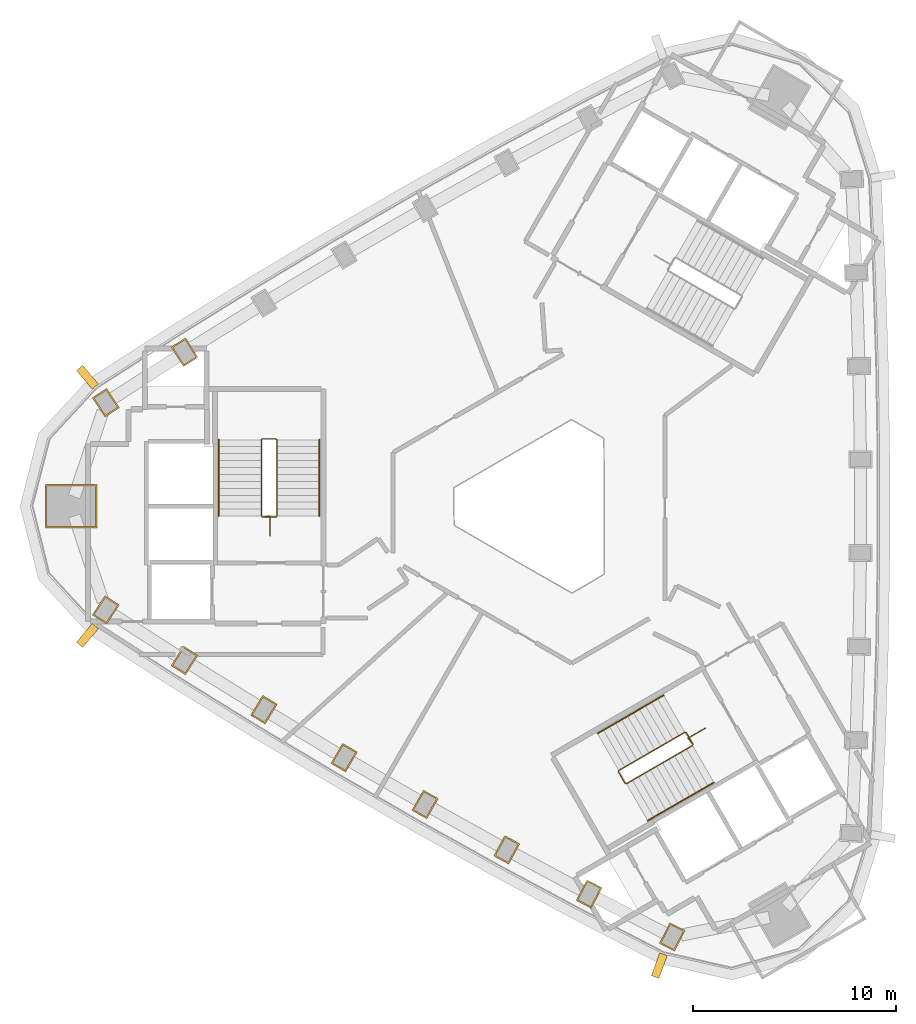
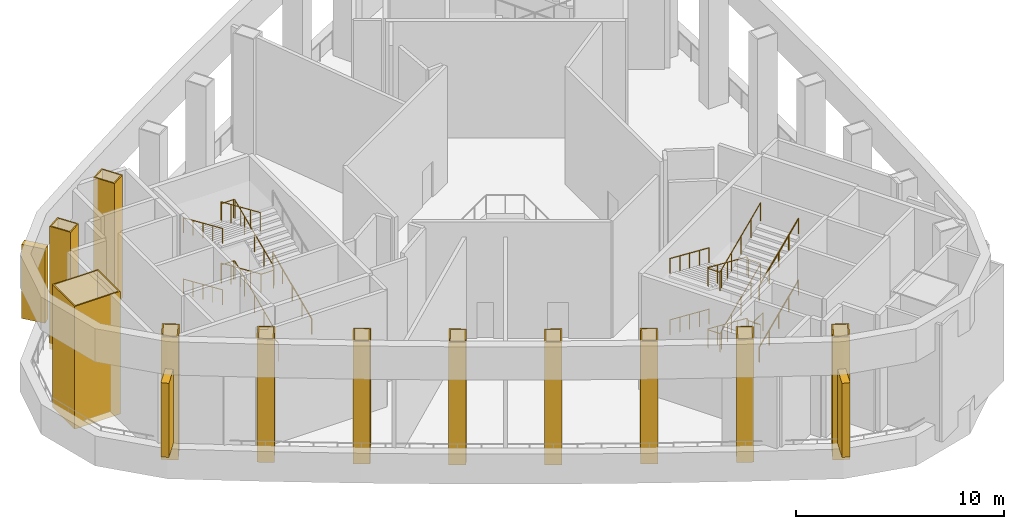
# One storey, part 6 of 8: 14 coverings, 9 railings.
"""IFC4 building model written with IfcOpenShell, lengths in metres."""

from ifc_helpers import new_model, si_unit, direction, frame, frame_2d, origin, origin_2d, place, context, subcontext, project, spatial, rectangle, circle, extrude, source, transform, mapped, material, layer, layer_set, type_object, element, save


model = new_model("IFC4")

# Units and contexts
model_context = context("Model", 3, precision=1e-05, world=origin(), true_north=direction((0.0, 1.0)))
body_context = subcontext(model_context, "Body", "Model", "MODEL_VIEW")
ifc_project = project(units=[si_unit("LENGTHUNIT", "METRE"), si_unit("AREAUNIT", "SQUARE_METRE"), si_unit("VOLUMEUNIT", "CUBIC_METRE"), si_unit("PLANEANGLEUNIT", "RADIAN"), si_unit("MASSUNIT", "GRAM", prefix="KILO")], contexts=[model_context])

# Site, building, storey
site_placement = place(None, origin())
site = spatial("IfcSite", under=ifc_project, at=site_placement, CompositionType="ELEMENT")
building_placement = place(site_placement, origin())
building = spatial("IfcBuilding", under=site, at=building_placement, Name="Tamra Quay Hotel Tower", CompositionType="ELEMENT")
storey_placement = place(building_placement, frame((0.0, 0.0, 283.800048828125)))
storey = spatial("IfcBuildingStorey", under=building, at=storey_placement, Name="L72", CompositionType="ELEMENT", Elevation=283.800048828125)

# Coverings
ifc_material_1 = material(Name="Precast concrete M60 terracotta-coloured pierced relief", Category="masonry")
ifc_layer_1 = layer(ifc_material_1, 0.39990234375)
ifc_layer_set_1 = layer_set([ifc_layer_1], Name="PORTAL JAMB FIN 400X1200")
covering_type_1 = type_object("IfcCoveringType", Name="PORTAL JAMB FIN 400X1200", PredefinedType="CLADDING", material=ifc_layer_set_1)
for number, where, z_axis, x_axis, name in (
    (1, (-22.464111328125, 6.3623046875, 0.89990234375), (0.0, 0.0, 1.0), (-0.765793084354, -0.643087048505, 0.0), "Wind portal jamb fin 4"),
    (2, (-22.464111328125, -6.3623046875, 0.89990234375), (0.0, 0.0, 1.0), (0.765793084354, -0.643087048505, 0.0), "Wind portal jamb fin 5"),
    (3, (5.722412109375, -22.6357421875, 0.89990234375), (0.0, 0.0, 1.0), (0.939826263027, -0.341652740841, 0.0), "Wind portal jamb fin 6"),
):
    element("IfcCovering", number, at=place(storey_placement, frame(where, z_axis=z_axis, x_axis=x_axis)), inside=storey, type_object=covering_type_1, Name=name, PredefinedType="CLADDING", context=body_context, shape_type="SweptSolid", body=[
        extrude(rectangle(XDim=0.39990234375, YDim=1.199951171875, at=origin_2d()), origin(), (0.0, 0.0, 1.0), 4.35009765625),
    ])

# Railings
ifc_material_2 = material(Name="Stair guard 1100")
railing_type_1 = type_object("IfcRailingType", Name="Stair guard 1100", PredefinedType="GUARDRAIL", material=ifc_material_2)
railing_1_placement = place(storey_placement, frame((-13.461669921875, -1.460205078125, 0.0)))
element("IfcRailing", 4, at=railing_1_placement, inside=storey, type_object=railing_type_1, Name="GR", PredefinedType="GUARDRAIL", context=body_context, shape_type="SweptSolid", body=[
    extrude(circle(Radius=0.02392578125, at=origin_2d()), frame((0.0, 0.0, 1.076171875), z_axis=(0.0, 1.0, 0.0), x_axis=(-1.0, 0.0, 0.0)), (0.0, 0.0, 1.0), 1.0),
    extrude(circle(Radius=0.02392578125, at=origin_2d()), frame((0.0, 1.0, 1.076171875), z_axis=(-0.98350356237, -0.180888758095, 0.0), x_axis=(0.180888758095, -0.98350356237, 0.0)), (0.0, 0.0, 1.0), 0.385986328125),
    extrude(circle(Radius=0.02392578125, at=origin_2d()), frame((-0.379638671875, 0.93017578125, 1.076171875), z_axis=(1.0, 0.0, 0.0), x_axis=(0.0, 1.0, 0.0)), (0.0, 0.0, 1.0), 0.658935546875),
    extrude(circle(Radius=0.02392578125, at=origin_2d()), frame((0.279296875, 0.93017578125, 1.076171875), z_axis=(0.301912943143, 0.301912943143, 0.904266083366), x_axis=(-0.707106781187, 0.707106781187, 0.0)), (0.0, 0.0, 1.0), 0.165771484375),
    extrude(circle(Radius=0.02392578125, at=origin_2d()), frame((0.329345703125, 0.980224609375, 1.22607421875), z_axis=(0.0, 0.915773634228, 0.401694723457), x_axis=(-1.0, 0.0, 0.0)), (0.0, 0.0, 1.0), 4.10791015625),
    extrude(circle(Radius=0.02392578125, at=origin_2d()), frame((0.329345703125, 4.7421875, 2.8759765625), z_axis=(-0.708833529934, 0.705375805398, 0.0), x_axis=(-0.705375805398, -0.708833529934, 0.0)), (0.0, 0.0, 1.0), 0.070556640625),
    extrude(circle(Radius=0.02392578125, at=origin_2d()), frame((0.279296875, 4.7919921875, 2.8759765625), z_axis=(-1.0, 0.0, 0.0), x_axis=(0.0, -1.0, 0.0)), (0.0, 0.0, 1.0), 0.658935546875),
    extrude(circle(Radius=0.02392578125, at=origin_2d()), frame((-0.379638671875, 4.7919921875, 2.8759765625), z_axis=(-0.302046947789, -0.300573548044, 0.904667443621), x_axis=(0.705375805398, -0.708833529934, 0.0)), (0.0, 0.0, 1.0), 0.165771484375),
    extrude(circle(Radius=0.02392578125, at=origin_2d()), frame((-0.4296875, 4.7421875, 3.02587890625), z_axis=(0.0, -0.915795495799, 0.401644880304), x_axis=(1.0, 0.0, 0.0)), (0.0, 0.0, 1.0), 4.10791015625),
    extrude(circle(Radius=0.02392578125, at=origin_2d()), frame((-0.4296875, 0.980224609375, 4.67578125), z_axis=(0.707106781187, -0.707106781187, 0.0), x_axis=(0.707106781187, 0.707106781187, 0.0)), (0.0, 0.0, 1.0), 0.07080078125),
    extrude(circle(Radius=0.02392578125, at=origin_2d()), frame((-0.379638671875, 0.93017578125, 4.67578125), z_axis=(1.0, 0.0, 0.0), x_axis=(0.0, 1.0, 0.0)), (0.0, 0.0, 1.0), 0.658935546875),
    extrude(circle(Radius=0.02392578125, at=origin_2d()), frame((0.279296875, 0.93017578125, 4.67578125), z_axis=(0.301511344578, 0.301511344578, 0.904534033733), x_axis=(-0.707106781187, 0.707106781187, 0.0)), (0.0, 0.0, 1.0), 0.166015625),
    extrude(circle(Radius=0.02392578125, at=origin_2d()), frame((0.329345703125, 0.980224609375, 4.826171875), z_axis=(0.0, 0.915795495799, 0.401644880304), x_axis=(-1.0, 0.0, 0.0)), (0.0, 0.0, 1.0), 4.10791015625),
    extrude(circle(Radius=0.02392578125, at=origin_2d()), frame((0.329345703125, 4.7421875, 6.47607421875), z_axis=(-0.708833529934, 0.705375805398, 0.0), x_axis=(-0.705375805398, -0.708833529934, 0.0)), (0.0, 0.0, 1.0), 0.070556640625),
    extrude(circle(Radius=0.02392578125, at=origin_2d()), frame((0.279296875, 4.7919921875, 6.47607421875), z_axis=(-1.0, 0.0, 0.0), x_axis=(0.0, -1.0, 0.0)), (0.0, 0.0, 1.0), 0.658935546875),
    extrude(circle(Radius=0.02392578125, at=origin_2d()), frame((-0.379638671875, 4.7919921875, 6.47607421875), z_axis=(-0.301644814947, -0.300173376825, 0.904934444842), x_axis=(0.705375805398, -0.708833529934, 0.0)), (0.0, 0.0, 1.0), 0.166015625),
    extrude(circle(Radius=0.02392578125, at=origin_2d()), frame((-0.4296875, 4.7421875, 6.6259765625), z_axis=(0.0, -0.915795495799, 0.401644880304), x_axis=(1.0, 0.0, 0.0)), (0.0, 0.0, 1.0), 4.10791015625),
    extrude(circle(Radius=0.02099609375, at=origin_2d()), origin(), (0.0, 0.0, 1.0), 1.052001953125),
    extrude(circle(Radius=0.02099609375, at=origin_2d()), frame((0.0, 1.0, 0.0)), (0.0, 0.0, 1.0), 1.052001953125),
    extrude(circle(Radius=0.02099609375, at=origin_2d()), frame((-0.379638671875, 0.93017578125, 0.0)), (0.0, 0.0, 1.0), 1.052001953125),
    extrude(circle(Radius=0.02099609375, at=origin_2d()), frame((0.279296875, 0.93017578125, 0.0)), (0.0, 0.0, 1.0), 1.052001953125),
    extrude(circle(Radius=0.02099609375, at=origin_2d()), frame((0.329345703125, 0.980224609375, 0.14990234375)), (0.0, 0.0, 1.0), 1.052001953125),
    extrude(circle(Radius=0.02099609375, at=origin_2d()), frame((0.329345703125, 1.920654296875, 0.5625)), (0.0, 0.0, 1.0), 1.052001953125),
    extrude(circle(Radius=0.02099609375, at=origin_2d()), frame((0.329345703125, 2.861328125, 0.97509765625)), (0.0, 0.0, 1.0), 1.052001953125),
    extrude(circle(Radius=0.02099609375, at=origin_2d()), frame((0.329345703125, 3.8017578125, 1.387451171875)), (0.0, 0.0, 1.0), 1.052001953125),
    extrude(circle(Radius=0.02099609375, at=origin_2d()), frame((0.329345703125, 4.7421875, 1.800048828125)), (0.0, 0.0, 1.0), 1.052001953125),
    extrude(circle(Radius=0.02099609375, at=origin_2d()), frame((0.279296875, 4.7919921875, 1.800048828125)), (0.0, 0.0, 1.0), 1.052001953125),
    extrude(circle(Radius=0.02099609375, at=origin_2d()), frame((-0.379638671875, 4.7919921875, 1.800048828125)), (0.0, 0.0, 1.0), 1.052001953125),
    extrude(circle(Radius=0.02099609375, at=origin_2d()), frame((-0.4296875, 4.7421875, 1.949951171875)), (0.0, 0.0, 1.0), 1.052001953125),
    extrude(circle(Radius=0.02099609375, at=origin_2d()), frame((-0.4296875, 3.8017578125, 2.3623046875)), (0.0, 0.0, 1.0), 1.052001953125),
    extrude(circle(Radius=0.02099609375, at=origin_2d()), frame((-0.4296875, 2.861328125, 2.77490234375)), (0.0, 0.0, 1.0), 1.052001953125),
    extrude(circle(Radius=0.02099609375, at=origin_2d()), frame((-0.4296875, 1.920654296875, 3.1875)), (0.0, 0.0, 1.0), 1.052001953125),
    extrude(circle(Radius=0.02099609375, at=origin_2d()), frame((-0.4296875, 0.980224609375, 3.599853515625)), (0.0, 0.0, 1.0), 1.052001953125),
    extrude(circle(Radius=0.02099609375, at=origin_2d()), frame((-0.379638671875, 0.93017578125, 3.599853515625)), (0.0, 0.0, 1.0), 1.052001953125),
    extrude(circle(Radius=0.02099609375, at=origin_2d()), frame((0.279296875, 0.93017578125, 3.599853515625)), (0.0, 0.0, 1.0), 1.052001953125),
    extrude(circle(Radius=0.02099609375, at=origin_2d()), frame((0.329345703125, 0.980224609375, 3.75)), (0.0, 0.0, 1.0), 1.052001953125),
    extrude(circle(Radius=0.02099609375, at=origin_2d()), frame((0.329345703125, 1.920654296875, 4.16259765625)), (0.0, 0.0, 1.0), 1.052001953125),
    extrude(circle(Radius=0.02099609375, at=origin_2d()), frame((0.329345703125, 2.861328125, 4.574951171875)), (0.0, 0.0, 1.0), 1.052001953125),
    extrude(circle(Radius=0.02099609375, at=origin_2d()), frame((0.329345703125, 3.8017578125, 4.9873046875)), (0.0, 0.0, 1.0), 1.052001953125),
    extrude(circle(Radius=0.02099609375, at=origin_2d()), frame((0.329345703125, 4.7421875, 5.39990234375)), (0.0, 0.0, 1.0), 1.052001953125),
    extrude(circle(Radius=0.02099609375, at=origin_2d()), frame((0.279296875, 4.7919921875, 5.39990234375)), (0.0, 0.0, 1.0), 1.052001953125),
    extrude(circle(Radius=0.02099609375, at=origin_2d()), frame((-0.379638671875, 4.7919921875, 5.39990234375)), (0.0, 0.0, 1.0), 1.052001953125),
    extrude(circle(Radius=0.02099609375, at=origin_2d()), frame((-0.4296875, 4.7421875, 5.550048828125)), (0.0, 0.0, 1.0), 1.052001953125),
    extrude(circle(Radius=0.02099609375, at=origin_2d()), frame((-0.4296875, 3.8017578125, 5.96240234375)), (0.0, 0.0, 1.0), 1.052001953125),
    extrude(circle(Radius=0.02099609375, at=origin_2d()), frame((-0.4296875, 2.861328125, 6.375)), (0.0, 0.0, 1.0), 1.052001953125),
    extrude(circle(Radius=0.02099609375, at=origin_2d()), frame((-0.4296875, 1.920654296875, 6.78759765625)), (0.0, 0.0, 1.0), 1.052001953125),
    extrude(circle(Radius=0.02099609375, at=origin_2d()), frame((-0.4296875, 0.980224609375, 7.199951171875)), (0.0, 0.0, 1.0), 1.052001953125),
])
railing_2_placement = place(storey_placement, frame((7.995361328125, -10.92822265625, 0.0)))
element("IfcRailing", 5, at=railing_2_placement, inside=storey, type_object=railing_type_1, Name="GR", PredefinedType="GUARDRAIL", context=body_context, shape_type="SweptSolid", body=[
    extrude(circle(Radius=0.02392578125, at=origin_2d()), frame((0.0, 0.0, 1.076171875), z_axis=(-0.866010750942, -0.50002537861, 0.0), x_axis=(0.50002537861, -0.866010750942, 0.0)), (0.0, 0.0, 1.0), 1.0),
    extrude(circle(Radius=0.02392578125, at=origin_2d()), frame((-0.865966796875, -0.5, 1.076171875), z_axis=(0.648547932179, -0.761173816987, 0.0), x_axis=(0.761173816987, 0.648547932179, 0.0)), (0.0, 0.0, 1.0), 0.3857421875),
    extrude(circle(Radius=0.02392578125, at=origin_2d()), frame((-0.61572265625, -0.793701171875, 1.076171875), z_axis=(-0.499765215335, 0.866160914346, 0.0), x_axis=(-0.866160914346, -0.499765215335, 0.0)), (0.0, 0.0, 1.0), 0.658935546875),
    extrude(circle(Radius=0.02392578125, at=origin_2d()), frame((-0.945068359375, -0.222900390625, 1.076171875), z_axis=(-0.41238007866, 0.110458949641, 0.904290601062), x_axis=(-0.258736085224, -0.965948051503, 0.0)), (0.0, 0.0, 1.0), 0.165771484375),
    extrude(circle(Radius=0.02392578125, at=origin_2d()), frame((-1.013427734375, -0.20458984375, 1.22607421875), z_axis=(-0.793081581205, -0.457901355053, 0.401681409319), x_axis=(0.500012686397, -0.866018079166, 0.0)), (0.0, 0.0, 1.0), 4.108154296875),
    extrude(circle(Radius=0.02392578125, at=origin_2d()), frame((-4.271484375, -2.085693359375, 2.8759765625), z_axis=(-0.259601060869, -0.965715946433, 0.0), x_axis=(0.965715946433, -0.259601060869, 0.0)), (0.0, 0.0, 1.0), 0.070556640625),
    extrude(circle(Radius=0.02392578125, at=origin_2d()), frame((-4.289794921875, -2.15380859375, 2.8759765625), z_axis=(0.500043078269, -0.866000531106, 0.0), x_axis=(0.866000531106, 0.500043078269, 0.0)), (0.0, 0.0, 1.0), 0.6591796875),
    extrude(circle(Radius=0.02392578125, at=origin_2d()), frame((-3.960205078125, -2.724609375, 2.8759765625), z_axis=(0.41238007866, -0.110458949641, 0.904290601062), x_axis=(0.258736085224, 0.965948051503, 0.0)), (0.0, 0.0, 1.0), 0.165771484375),
    extrude(circle(Radius=0.02392578125, at=origin_2d()), frame((-3.891845703125, -2.742919921875, 3.02587890625), z_axis=(0.793078462799, 0.457933869594, 0.401650498471), x_axis=(-0.500040788363, 0.866001853331, 0.0)), (0.0, 0.0, 1.0), 4.10791015625),
    extrude(circle(Radius=0.02392578125, at=origin_2d()), frame((-0.634033203125, -0.86181640625, 4.67578125), z_axis=(0.259601060869, 0.965715946433, 0.0), x_axis=(-0.965715946433, 0.259601060869, 0.0)), (0.0, 0.0, 1.0), 0.070556640625),
    extrude(circle(Radius=0.02392578125, at=origin_2d()), frame((-0.61572265625, -0.793701171875, 4.67578125), z_axis=(-0.499765215335, 0.866160914346, 0.0), x_axis=(-0.866160914346, -0.499765215335, 0.0)), (0.0, 0.0, 1.0), 0.658935546875),
    extrude(circle(Radius=0.02392578125, at=origin_2d()), frame((-0.945068359375, -0.222900390625, 4.67578125), z_axis=(-0.411831509231, 0.110312011401, 0.90455849349), x_axis=(-0.258736085224, -0.965948051503, 0.0)), (0.0, 0.0, 1.0), 0.166015625),
    extrude(circle(Radius=0.02392578125, at=origin_2d()), frame((-1.013427734375, -0.20458984375, 4.826171875), z_axis=(-0.793100512587, -0.457912285461, 0.401631567183), x_axis=(0.500012686397, -0.866018079166, 0.0)), (0.0, 0.0, 1.0), 4.10791015625),
    extrude(circle(Radius=0.02392578125, at=origin_2d()), frame((-4.271484375, -2.085693359375, 6.47607421875), z_axis=(-0.259601060869, -0.965715946433, 0.0), x_axis=(0.965715946433, -0.259601060869, 0.0)), (0.0, 0.0, 1.0), 0.070556640625),
    extrude(circle(Radius=0.02392578125, at=origin_2d()), frame((-4.289794921875, -2.15380859375, 6.47607421875), z_axis=(0.500043078269, -0.866000531106, 0.0), x_axis=(0.866000531106, 0.500043078269, 0.0)), (0.0, 0.0, 1.0), 0.6591796875),
    extrude(circle(Radius=0.02392578125, at=origin_2d()), frame((-3.960205078125, -2.724609375, 6.47607421875), z_axis=(0.411831509231, -0.110312011401, 0.90455849349), x_axis=(0.258736085224, 0.965948051503, 0.0)), (0.0, 0.0, 1.0), 0.166015625),
    extrude(circle(Radius=0.02392578125, at=origin_2d()), frame((-3.891845703125, -2.742919921875, 6.6259765625), z_axis=(0.793078462799, 0.457933869594, 0.401650498471), x_axis=(-0.500040788363, 0.866001853331, 0.0)), (0.0, 0.0, 1.0), 4.10791015625),
    extrude(circle(Radius=0.02099609375, at=origin_2d()), origin(), (0.0, 0.0, 1.0), 1.052001953125),
    extrude(circle(Radius=0.02099609375, at=origin_2d()), frame((-0.865966796875, -0.5, 0.0)), (0.0, 0.0, 1.0), 1.052001953125),
    extrude(circle(Radius=0.02099609375, at=origin_2d()), frame((-0.61572265625, -0.793701171875, 0.0)), (0.0, 0.0, 1.0), 1.052001953125),
    extrude(circle(Radius=0.02099609375, at=origin_2d()), frame((-0.945068359375, -0.222900390625, 0.0)), (0.0, 0.0, 1.0), 1.052001953125),
    extrude(circle(Radius=0.02099609375, at=origin_2d()), frame((-1.013427734375, -0.20458984375, 0.14990234375)), (0.0, 0.0, 1.0), 1.052001953125),
    extrude(circle(Radius=0.02099609375, at=origin_2d()), frame((-1.827880859375, -0.6748046875, 0.5625)), (0.0, 0.0, 1.0), 1.052001953125),
    extrude(circle(Radius=0.02099609375, at=origin_2d()), frame((-2.642578125, -1.14501953125, 0.97509765625)), (0.0, 0.0, 1.0), 1.052001953125),
    extrude(circle(Radius=0.02099609375, at=origin_2d()), frame((-3.45703125, -1.615478515625, 1.387451171875)), (0.0, 0.0, 1.0), 1.052001953125),
    extrude(circle(Radius=0.02099609375, at=origin_2d()), frame((-4.271484375, -2.085693359375, 1.800048828125)), (0.0, 0.0, 1.0), 1.052001953125),
    extrude(circle(Radius=0.02099609375, at=origin_2d()), frame((-4.289794921875, -2.15380859375, 1.800048828125)), (0.0, 0.0, 1.0), 1.052001953125),
    extrude(circle(Radius=0.02099609375, at=origin_2d()), frame((-3.960205078125, -2.724609375, 1.800048828125)), (0.0, 0.0, 1.0), 1.052001953125),
    extrude(circle(Radius=0.02099609375, at=origin_2d()), frame((-3.891845703125, -2.742919921875, 1.949951171875)), (0.0, 0.0, 1.0), 1.052001953125),
    extrude(circle(Radius=0.02099609375, at=origin_2d()), frame((-3.077392578125, -2.272705078125, 2.3623046875)), (0.0, 0.0, 1.0), 1.052001953125),
    extrude(circle(Radius=0.02099609375, at=origin_2d()), frame((-2.262939453125, -1.80224609375, 2.77490234375)), (0.0, 0.0, 1.0), 1.052001953125),
    extrude(circle(Radius=0.02099609375, at=origin_2d()), frame((-1.448486328125, -1.33203125, 3.1875)), (0.0, 0.0, 1.0), 1.052001953125),
    extrude(circle(Radius=0.02099609375, at=origin_2d()), frame((-0.634033203125, -0.86181640625, 3.599853515625)), (0.0, 0.0, 1.0), 1.052001953125),
    extrude(circle(Radius=0.02099609375, at=origin_2d()), frame((-0.61572265625, -0.793701171875, 3.599853515625)), (0.0, 0.0, 1.0), 1.052001953125),
    extrude(circle(Radius=0.02099609375, at=origin_2d()), frame((-0.945068359375, -0.222900390625, 3.599853515625)), (0.0, 0.0, 1.0), 1.052001953125),
    extrude(circle(Radius=0.02099609375, at=origin_2d()), frame((-1.013427734375, -0.20458984375, 3.75)), (0.0, 0.0, 1.0), 1.052001953125),
    extrude(circle(Radius=0.02099609375, at=origin_2d()), frame((-1.827880859375, -0.6748046875, 4.16259765625)), (0.0, 0.0, 1.0), 1.052001953125),
    extrude(circle(Radius=0.02099609375, at=origin_2d()), frame((-2.642578125, -1.14501953125, 4.574951171875)), (0.0, 0.0, 1.0), 1.052001953125),
    extrude(circle(Radius=0.02099609375, at=origin_2d()), frame((-3.45703125, -1.615478515625, 4.9873046875)), (0.0, 0.0, 1.0), 1.052001953125),
    extrude(circle(Radius=0.02099609375, at=origin_2d()), frame((-4.271484375, -2.085693359375, 5.39990234375)), (0.0, 0.0, 1.0), 1.052001953125),
    extrude(circle(Radius=0.02099609375, at=origin_2d()), frame((-4.289794921875, -2.15380859375, 5.39990234375)), (0.0, 0.0, 1.0), 1.052001953125),
    extrude(circle(Radius=0.02099609375, at=origin_2d()), frame((-3.960205078125, -2.724609375, 5.39990234375)), (0.0, 0.0, 1.0), 1.052001953125),
    extrude(circle(Radius=0.02099609375, at=origin_2d()), frame((-3.891845703125, -2.742919921875, 5.550048828125)), (0.0, 0.0, 1.0), 1.052001953125),
    extrude(circle(Radius=0.02099609375, at=origin_2d()), frame((-3.077392578125, -2.272705078125, 5.96240234375)), (0.0, 0.0, 1.0), 1.052001953125),
    extrude(circle(Radius=0.02099609375, at=origin_2d()), frame((-2.262939453125, -1.80224609375, 6.375)), (0.0, 0.0, 1.0), 1.052001953125),
    extrude(circle(Radius=0.02099609375, at=origin_2d()), frame((-1.448486328125, -1.33203125, 6.78759765625)), (0.0, 0.0, 1.0), 1.052001953125),
    extrude(circle(Radius=0.02099609375, at=origin_2d()), frame((-0.634033203125, -0.86181640625, 7.199951171875)), (0.0, 0.0, 1.0), 1.052001953125),
])
ifc_material_3 = material(Name="Stair handrail 900")
railing_type_2 = type_object("IfcRailingType", Name="Stair handrail 900", PredefinedType="HANDRAIL", material=ifc_material_3)
railing_3_placement = place(storey_placement, frame((-11.0322265625, -0.47998046875, 0.14990234375)))
element("IfcRailing", 6, at=railing_3_placement, inside=storey, type_object=railing_type_2, Name="HR", PredefinedType="HANDRAIL", context=body_context, shape_type="SweptSolid", body=[
    extrude(circle(Radius=0.02392578125, at=origin_2d()), frame((0.0, 0.0, 0.8759765625), z_axis=(0.0, 0.915773634228, 0.401694723457), x_axis=(-1.0, 0.0, 0.0)), (0.0, 0.0, 1.0), 4.10791015625),
    extrude(circle(Radius=0.02099609375, at=origin_2d()), origin(), (0.0, 0.0, 1.0), 0.851806640625),
    extrude(circle(Radius=0.02099609375, at=origin_2d()), frame((0.0, 0.9404296875, 0.41259765625)), (0.0, 0.0, 1.0), 0.851806640625),
    extrude(circle(Radius=0.02099609375, at=origin_2d()), frame((0.0, 1.880859375, 0.8251953125)), (0.0, 0.0, 1.0), 0.851806640625),
    extrude(circle(Radius=0.02099609375, at=origin_2d()), frame((0.0, 2.821533203125, 1.237548828125)), (0.0, 0.0, 1.0), 0.851806640625),
    extrude(circle(Radius=0.02099609375, at=origin_2d()), frame((0.0, 3.761962890625, 1.650146484375)), (0.0, 0.0, 1.0), 0.851806640625),
])
for number, where, name in (
    (7, (-15.9912109375, 3.281982421875, 1.949951171875), "HR"),
    (8, (-15.9912109375, 3.281982421875, 5.550048828125), "HR"),
):
    element("IfcRailing", number, at=place(storey_placement, frame(where)), inside=storey, type_object=railing_type_2, Name=name, PredefinedType="HANDRAIL", context=body_context, shape_type="SweptSolid", body=[
        extrude(circle(Radius=0.02392578125, at=origin_2d()), frame((0.0, 0.0, 0.8759765625), z_axis=(0.0, -0.915795495799, 0.401644880304), x_axis=(1.0, 0.0, 0.0)), (0.0, 0.0, 1.0), 4.10791015625),
        extrude(circle(Radius=0.02099609375, at=origin_2d()), origin(), (0.0, 0.0, 1.0), 0.851806640625),
        extrude(circle(Radius=0.02099609375, at=origin_2d()), frame((0.0, -0.9404296875, 0.41259765625)), (0.0, 0.0, 1.0), 0.851806640625),
        extrude(circle(Radius=0.02099609375, at=origin_2d()), frame((0.0, -1.880859375, 0.824951171875)), (0.0, 0.0, 1.0), 0.851806640625),
        extrude(circle(Radius=0.02099609375, at=origin_2d()), frame((0.0, -2.821533203125, 1.2373046875)), (0.0, 0.0, 1.0), 0.851806640625),
        extrude(circle(Radius=0.02099609375, at=origin_2d()), frame((0.0, -3.761962890625, 1.64990234375)), (0.0, 0.0, 1.0), 0.851806640625),
    ])
railing_4_placement = place(storey_placement, frame((5.931884765625, -9.314208984375, 0.14990234375)))
element("IfcRailing", 9, at=railing_4_placement, inside=storey, type_object=railing_type_2, Name="HR", PredefinedType="HANDRAIL", context=body_context, shape_type="SweptSolid", body=[
    extrude(circle(Radius=0.02392578125, at=origin_2d()), frame((0.0, 0.0, 0.8759765625), z_axis=(-0.793103162556, -0.457854384738, 0.401692339881), x_axis=(0.499964013922, -0.86604617936, 0.0)), (0.0, 0.0, 1.0), 4.10791015625),
    extrude(circle(Radius=0.02099609375, at=origin_2d()), origin(), (0.0, 0.0, 1.0), 0.851806640625),
    extrude(circle(Radius=0.02099609375, at=origin_2d()), frame((-0.814453125, -0.47021484375, 0.41259765625)), (0.0, 0.0, 1.0), 0.851806640625),
    extrude(circle(Radius=0.02099609375, at=origin_2d()), frame((-1.62890625, -0.9404296875, 0.8251953125)), (0.0, 0.0, 1.0), 0.851806640625),
    extrude(circle(Radius=0.02099609375, at=origin_2d()), frame((-2.443603515625, -1.41064453125, 1.237548828125)), (0.0, 0.0, 1.0), 0.851806640625),
    extrude(circle(Radius=0.02099609375, at=origin_2d()), frame((-3.258056640625, -1.880859375, 1.650146484375)), (0.0, 0.0, 1.0), 0.851806640625),
])
railing_5_placement = place(storey_placement, frame((5.1533203125, -15.48974609375, 1.949951171875)))
element("IfcRailing", 10, at=railing_5_placement, inside=storey, type_object=railing_type_2, Name="HR", PredefinedType="HANDRAIL", context=body_context, shape_type="SweptSolid", body=[
    extrude(circle(Radius=0.02392578125, at=origin_2d()), frame((0.0, 0.0, 0.8759765625), z_axis=(0.793122095483, 0.45786531462, 0.401642496911), x_axis=(-0.499964013922, 0.86604617936, 0.0)), (0.0, 0.0, 1.0), 4.10791015625),
    extrude(circle(Radius=0.02099609375, at=origin_2d()), origin(), (0.0, 0.0, 1.0), 0.851806640625),
    extrude(circle(Radius=0.02099609375, at=origin_2d()), frame((0.814453125, 0.47021484375, 0.41259765625)), (0.0, 0.0, 1.0), 0.851806640625),
    extrude(circle(Radius=0.02099609375, at=origin_2d()), frame((1.62890625, 0.9404296875, 0.824951171875)), (0.0, 0.0, 1.0), 0.851806640625),
    extrude(circle(Radius=0.02099609375, at=origin_2d()), frame((2.443603515625, 1.41064453125, 1.2373046875)), (0.0, 0.0, 1.0), 0.851806640625),
    extrude(circle(Radius=0.02099609375, at=origin_2d()), frame((3.258056640625, 1.880859375, 1.64990234375)), (0.0, 0.0, 1.0), 0.851806640625),
])
railing_6_placement = place(storey_placement, frame((5.931884765625, -9.314208984375, 3.75)))
element("IfcRailing", 11, at=railing_6_placement, inside=storey, type_object=railing_type_2, Name="HR", PredefinedType="HANDRAIL", context=body_context, shape_type="SweptSolid", body=[
    extrude(circle(Radius=0.02392578125, at=origin_2d()), frame((0.0, 0.0, 0.8759765625), z_axis=(-0.793122095483, -0.45786531462, 0.401642496911), x_axis=(0.499964013922, -0.86604617936, 0.0)), (0.0, 0.0, 1.0), 4.10791015625),
    extrude(circle(Radius=0.02099609375, at=origin_2d()), origin(), (0.0, 0.0, 1.0), 0.851806640625),
    extrude(circle(Radius=0.02099609375, at=origin_2d()), frame((-0.814453125, -0.47021484375, 0.41259765625)), (0.0, 0.0, 1.0), 0.851806640625),
    extrude(circle(Radius=0.02099609375, at=origin_2d()), frame((-1.62890625, -0.9404296875, 0.824951171875)), (0.0, 0.0, 1.0), 0.851806640625),
    extrude(circle(Radius=0.02099609375, at=origin_2d()), frame((-2.443603515625, -1.41064453125, 1.2373046875)), (0.0, 0.0, 1.0), 0.851806640625),
    extrude(circle(Radius=0.02099609375, at=origin_2d()), frame((-3.258056640625, -1.880859375, 1.64990234375)), (0.0, 0.0, 1.0), 0.851806640625),
])
railing_7_placement = place(storey_placement, frame((5.1533203125, -15.48974609375, 5.550048828125)))
element("IfcRailing", 12, at=railing_7_placement, inside=storey, type_object=railing_type_2, Name="HR", PredefinedType="HANDRAIL", context=body_context, shape_type="SweptSolid", body=[
    extrude(circle(Radius=0.02392578125, at=origin_2d()), frame((0.0, 0.0, 0.8759765625), z_axis=(0.793122095483, 0.45786531462, 0.401642496911), x_axis=(-0.499964013922, 0.86604617936, 0.0)), (0.0, 0.0, 1.0), 4.10791015625),
    extrude(circle(Radius=0.02099609375, at=origin_2d()), origin(), (0.0, 0.0, 1.0), 0.851806640625),
    extrude(circle(Radius=0.02099609375, at=origin_2d()), frame((0.814453125, 0.47021484375, 0.41259765625)), (0.0, 0.0, 1.0), 0.851806640625),
    extrude(circle(Radius=0.02099609375, at=origin_2d()), frame((1.62890625, 0.9404296875, 0.824951171875)), (0.0, 0.0, 1.0), 0.851806640625),
    extrude(circle(Radius=0.02099609375, at=origin_2d()), frame((2.443603515625, 1.41064453125, 1.2373046875)), (0.0, 0.0, 1.0), 0.851806640625),
    extrude(circle(Radius=0.02099609375, at=origin_2d()), frame((3.258056640625, 1.880859375, 1.64990234375)), (0.0, 0.0, 1.0), 0.851806640625),
])

# Coverings
ifc_layer_2 = layer(ifc_material_1, 0.070068359375)
ifc_layer_set_2 = layer_set([ifc_layer_2], Name="COLUMN RELIEF SLEEVE 70")
covering_type_2 = type_object("IfcCoveringType", Name="COLUMN RELIEF SLEEVE 70", PredefinedType="CLADDING", material=ifc_layer_set_2)
shared_shape_1 = source(origin(), body_context, "Body", "SweptSolid", [
    extrude(rectangle(XDim=1.139892578125, YDim=0.070068359375, at=frame_2d((0.56982421875, 0.03515625))), frame((-0.570068359375, -0.419921875, 0.0)), (0.0, 0.0, 1.0), 7.199951171875),
    extrude(rectangle(XDim=1.139892578125, YDim=0.070068359375, at=frame_2d((0.56982421875, 0.03515625))), frame((-0.570068359375, 0.35009765625, 0.0)), (0.0, 0.0, 1.0), 7.199951171875),
    extrude(rectangle(XDim=0.070068359375, YDim=0.699951171875, at=frame_2d((0.03515625, 0.35009765625))), frame((-0.570068359375, -0.35009765625, 0.0)), (0.0, 0.0, 1.0), 7.199951171875),
    extrude(rectangle(XDim=0.070068359375, YDim=0.699951171875, at=frame_2d((0.03515625, 0.35009765625))), frame((0.5, -0.35009765625, 0.0)), (0.0, 0.0, 1.0), 7.199951171875),
])
for number, where, z_axis, x_axis, name in (
    (13, (-17.681396484375, 7.594970703125, -0.35009765625), (0.0, 0.0, 1.0), (-0.533133229604, 0.846031299357, 0.0), "Column relief sleeve COL-C6NW07-L72"),
    (14, (-21.558837890625, 5.107421875, -0.35009765625), (0.0, 0.0, 1.0), (-0.546805036181, 0.83725996704, 0.0), "Column relief sleeve COL-C6NW08-L72"),
    (15, (-21.558837890625, -5.107421875, -0.35009765625), (0.0, 0.0, 1.0), (0.546805036181, 0.83725996704, 0.0), "Column relief sleeve COL-C6SW01-L72"),
    (16, (-17.681396484375, -7.594970703125, -0.35009765625), (0.0, 0.0, 1.0), (0.533133229604, 0.846031299357, 0.0), "Column relief sleeve COL-C6SW02-L72"),
    (17, (-13.765380859375, -10.022216796875, -0.35009765625), (0.0, 0.0, 1.0), (0.520430007934, 0.8539043312, 0.0), "Column relief sleeve COL-C6SW03-L72"),
    (18, (-9.81201171875, -12.3876953125, -0.35009765625), (0.0, 0.0, 1.0), (0.506843430159, 0.862038129844, 0.0), "Column relief sleeve COL-C6SW04-L72"),
    (19, (-5.822265625, -14.69140625, -0.35009765625), (0.0, 0.0, 1.0), (0.493125204396, 0.869958351181, 0.0), "Column relief sleeve COL-C6SW05-L72"),
    (20, (-1.796875, -16.93212890625, -0.35009765625), (0.0, 0.0, 1.0), (0.479287839253, 0.877657773363, 0.0), "Column relief sleeve COL-C6SW06-L72"),
    (21, (2.26318359375, -19.110107421875, -0.35009765625), (0.0, 0.0, 1.0), (0.466117982839, 0.884722570117, 0.0), "Column relief sleeve COL-C6SW07-L72"),
    (22, (6.3564453125, -21.22412109375, -0.35009765625), (0.0, 0.0, 1.0), (0.451685882938, 0.89217703577, 0.0), "Column relief sleeve COL-C6SW08-L72"),
):
    element("IfcCovering", number, at=place(storey_placement, frame(where, z_axis=z_axis, x_axis=x_axis)), inside=storey, type_object=covering_type_2, Name=name, PredefinedType="CLADDING", context=body_context, shape_type="MappedRepresentation", body=[
        mapped(shared_shape_1, transform((0.0, 0.0, 0.0), scale=1.0)),
    ])
shared_shape_2 = source(origin(), body_context, "Body", "SweptSolid", [
    extrude(rectangle(XDim=2.5400390625, YDim=0.070068359375, at=frame_2d((1.27001953125, 0.03515625))), frame((-1.27001953125, -1.070068359375, 0.0)), (0.0, 0.0, 1.0), 7.199951171875),
    extrude(rectangle(XDim=2.5400390625, YDim=0.070068359375, at=frame_2d((1.27001953125, 0.03515625))), frame((-1.27001953125, 1.0, 0.0)), (0.0, 0.0, 1.0), 7.199951171875),
    extrude(rectangle(XDim=0.070068359375, YDim=2.0, at=frame_2d((0.03515625, 1.0))), frame((-1.27001953125, -1.0, 0.0)), (0.0, 0.0, 1.0), 7.199951171875),
    extrude(rectangle(XDim=0.070068359375, YDim=2.0, at=frame_2d((0.03515625, 1.0))), frame((1.199951171875, -1.0, 0.0)), (0.0, 0.0, 1.0), 7.199951171875),
])
covering_placement = place(storey_placement, frame((-23.2734375, 0.0, -0.35009765625), z_axis=(0.0, 0.0, 1.0), x_axis=(1.0, 0.0, 0.0)))
element("IfcCovering", 23, at=covering_placement, inside=storey, type_object=covering_type_2, Name="Column relief sleeve COL-M6W-L72", PredefinedType="CLADDING", context=body_context, shape_type="MappedRepresentation", body=[
    mapped(shared_shape_2, transform((0.0, 0.0, 0.0), scale=1.0)),
])

save(model, "model.ifc")
